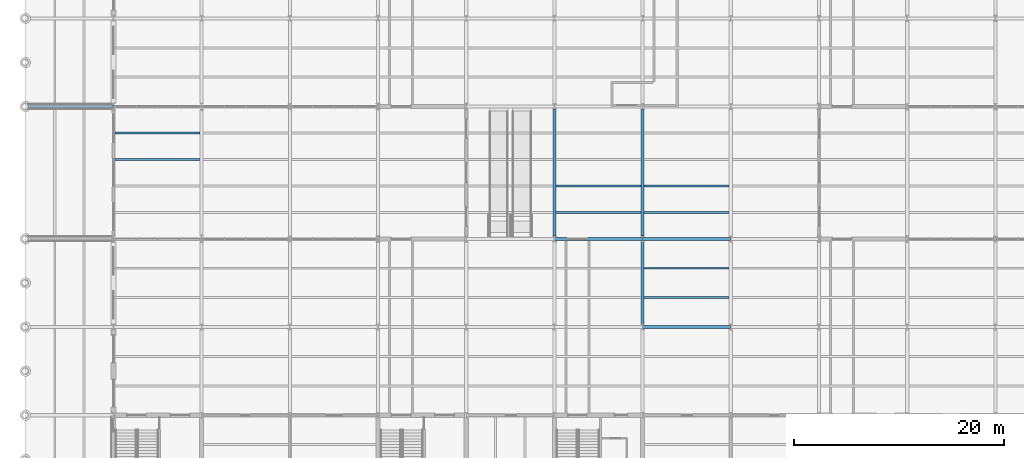
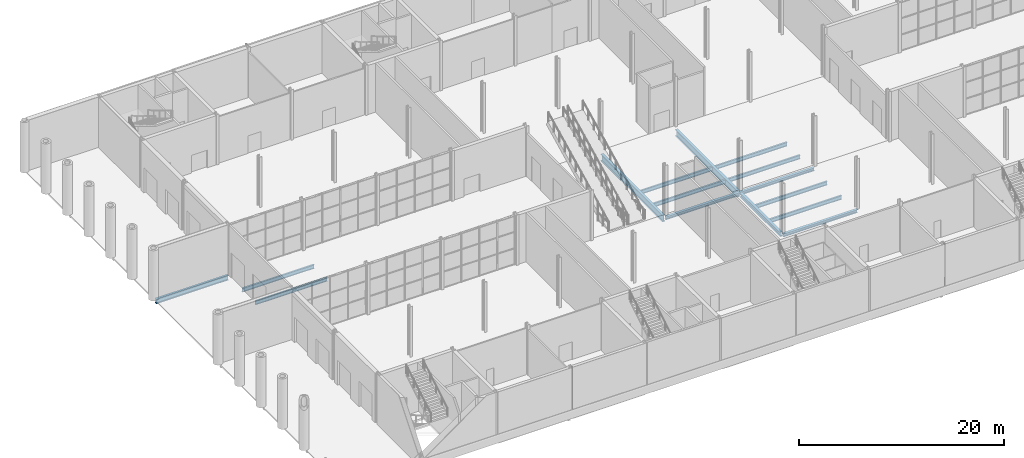
# One storey, part 14 of 55: 15 beams.
"""IFC4 building model written with IfcOpenShell, lengths in metres."""

import ifcopenshell
import ifcopenshell.guid

model = None  # the IFC model being written
_history = None  # IfcOwnerHistory: only IFC2X3 demands one
_inside = {}  # id of a spatial element -> (the spatial element, [elements in it])
_under = {}  # id of a project, library or spatial element -> (it, [spatial elements below it])
_declared = {}  # id of a project -> (the project, [libraries it declares])
_typed = {}  # id of a type object -> (the type object, [elements of that type])
_made_of = {}  # id of a material, layer set ... -> (it, [elements and type objects made of it])


def new_model(schema):
    """Start an empty IFC model of exactly this schema.

    Asked for "IFC4X3", IfcOpenShell would pick the latest addendum, in which some entities
    have other attributes; the version numbers below select the first issue.
    IFC2X3 requires an IfcOwnerHistory on every rooted entity: one is made here for all.
    """
    global model, _history
    if schema == "IFC4X3":
        model = ifcopenshell.file(schema_version=(4, 3, 0, 0))
    else:
        model = ifcopenshell.file(schema=schema)
    _inside.clear()
    _under.clear()
    _declared.clear()
    _typed.clear()
    _made_of.clear()
    _history = None
    if model.schema == "IFC2X3":
        org = make("IfcOrganization", Name="unknown")
        user = make(
            "IfcPersonAndOrganization",
            ThePerson=make("IfcPerson", FamilyName="unknown"),
            TheOrganization=org,
        )
        app = make(
            "IfcApplication",
            ApplicationDeveloper=org,
            Version="unknown",
            ApplicationFullName="unknown",
            ApplicationIdentifier="unknown",
        )
        _history = make(
            "IfcOwnerHistory",
            OwningUser=user,
            OwningApplication=app,
            ChangeAction="ADDED",
            CreationDate=0,
        )
    return model


def make(cls, **values):
    """One entity of the class cls with the attributes given. An attribute that is None is left unset."""
    return model.create_entity(
        cls, **{name: value for name, value in values.items() if value is not None}
    )


def rooted(cls, **values):
    """An entity with a GlobalId (a new one), such as an element, a storey or a relation."""
    return make(cls, GlobalId=ifcopenshell.guid.new(), OwnerHistory=_history, **values)


def si_unit(unit_type, name, prefix=None):
    """IfcSIUnit, for example si_unit("LENGTHUNIT", "METRE", prefix="MILLI")."""
    return make("IfcSIUnit", UnitType=unit_type, Prefix=prefix, Name=name)


def assignment(units):
    """IfcUnitAssignment: the units of a project."""
    return None if units is None else make("IfcUnitAssignment", Units=units)


def point(xyz):
    """IfcCartesianPoint."""
    return None if xyz is None else make("IfcCartesianPoint", Coordinates=xyz)


def direction(xyz):
    """IfcDirection."""
    return None if xyz is None else make("IfcDirection", DirectionRatios=xyz)


def frame(location, z_axis=None, x_axis=None):
    """IfcAxis2Placement3D, a coordinate frame: its origin and axes. An axis left out is left unset."""
    return make(
        "IfcAxis2Placement3D",
        Location=point(location),
        Axis=direction(z_axis),
        RefDirection=direction(x_axis),
    )


def frame_2d(location, x_axis=None):
    """IfcAxis2Placement2D, a coordinate frame in the plane: its origin and x axis."""
    return make(
        "IfcAxis2Placement2D", Location=point(location), RefDirection=direction(x_axis)
    )


def origin():
    """The frame at (0, 0, 0) with its axes left unset."""
    return frame((0.0, 0.0, 0.0))


def origin_2d():
    """The frame at (0, 0) in the plane with its x axis left unset."""
    return frame_2d((0.0, 0.0))


def place(relative_to, where):
    """IfcLocalPlacement: puts the frame where relative to a parent placement (None: the world)."""
    return make(
        "IfcLocalPlacement", PlacementRelTo=relative_to, RelativePlacement=where
    )


def context(
    kind, dimensions, precision=None, world=None, true_north=None, identifier=None
):
    """IfcGeometricRepresentationContext, for example the 3D "Model" context."""
    return make(
        "IfcGeometricRepresentationContext",
        ContextIdentifier=identifier,
        ContextType=kind,
        CoordinateSpaceDimension=dimensions,
        Precision=precision,
        WorldCoordinateSystem=world,
        TrueNorth=true_north,
    )


def subcontext(parent, identifier, kind, view, scale=None):
    """IfcGeometricRepresentationSubContext, for example "Body" below "Model"."""
    return make(
        "IfcGeometricRepresentationSubContext",
        ContextIdentifier=identifier,
        ContextType=kind,
        ParentContext=parent,
        TargetScale=scale,
        TargetView=view,
    )


def project(units=None, contexts=None):
    """IfcProject with its units and contexts."""
    return rooted(
        "IfcProject",
        Name="project",
        RepresentationContexts=contexts,
        UnitsInContext=assignment(units),
    )


def spatial(cls, under=None, at=None, **own):
    """A site, building, storey or space (cls), placed at a placement, below another one or the project."""
    s = rooted(cls, ObjectPlacement=at, **own)
    if under is not None:
        _under.setdefault(under.id(), (under, []))[1].append(s)
    return s


def profile(cls, at=None, kind="AREA", **sizes):
    """A parametric profile (cls). Its sizes go by their IFC names, for example OverallWidth=200.0."""
    return make(cls, ProfileType=kind, Position=at, **sizes)


def i_section(**sizes):
    """IfcIShapeProfileDef."""
    return profile("IfcIShapeProfileDef", **sizes)


def extrude(swept, where, along, depth):
    """IfcExtrudedAreaSolid: the profile swept, set in the frame where, extruded along a direction by depth."""
    return make(
        "IfcExtrudedAreaSolid",
        SweptArea=swept,
        Position=where,
        ExtrudedDirection=direction(along),
        Depth=depth,
    )


def shape(context_of_items, identifier, shape_type, items):
    """IfcShapeRepresentation: the items that make up one representation, for example the "Body"."""
    return make(
        "IfcShapeRepresentation",
        ContextOfItems=context_of_items,
        RepresentationIdentifier=identifier,
        RepresentationType=shape_type,
        Items=items,
    )


def material(Name=None, Category=None):
    """IfcMaterial."""
    return make("IfcMaterial", Name=Name, Category=Category)


def material_profile(
    of_material, cross_section, Name=None, Category=None, Priority=None
):
    """IfcMaterialProfile: a cross section and its material."""
    return make(
        "IfcMaterialProfile",
        Name=Name,
        Material=of_material,
        Profile=cross_section,
        Priority=Priority,
        Category=Category,
    )


def profile_set(profiles, Name=None, composite=None):
    """IfcMaterialProfileSet."""
    return make(
        "IfcMaterialProfileSet",
        Name=Name,
        MaterialProfiles=profiles,
        CompositeProfile=composite,
    )


def made_of(thing, what):
    """Note that an element or type object is made of a material, layer set ...; save() writes the relation."""
    if what is not None:
        _made_of.setdefault(what.id(), (what, []))[1].append(thing)
    return thing


def type_object(cls, material=None, **own):
    """A type object (cls), such as IfcWallType, which elements share."""
    return made_of(rooted(cls, **own), material)


def element(
    cls,
    number,
    at=None,
    inside=None,
    cuts=None,
    type_object=None,
    material=None,
    context=None,
    identifier="Body",
    shape_type=None,
    held_by="IfcProductDefinitionShape",
    body=None,
    shapes=None,
    **own,
):
    """One element of the class cls, such as IfcWall. Its Tag is "e" and its number.

    at: its placement. inside: the storey or other place that contains it. cuts: it is an
    opening in that element (IfcRelVoidsElement). A single representation is given by context,
    identifier, shape_type and body (its items); several are given by shapes. held_by: the class
    of the entity that holds the representations. save() writes the other relations.
    """
    e = rooted(cls, Tag="e%d" % number, ObjectPlacement=at, **own)
    if body is not None:
        shapes = [shape(context, identifier, shape_type, body)]
    if shapes is not None:
        e.Representation = make(held_by, Representations=shapes)
    if inside is not None:
        _inside.setdefault(inside.id(), (inside, []))[1].append(e)
    if cuts is not None:
        rooted(
            "IfcRelVoidsElement", RelatingBuildingElement=cuts, RelatedOpeningElement=e
        )
    if type_object is not None:
        _typed.setdefault(type_object.id(), (type_object, []))[1].append(e)
    return made_of(e, material)


def aggregate(whole, parts):
    """IfcRelAggregates: a whole, such as a stair, and the parts it consists of."""
    return rooted("IfcRelAggregates", RelatingObject=whole, RelatedObjects=parts)


def save(model, path):
    """Write the relations noted so far, then the file.

    IfcRelAggregates (storeys below a building ...), IfcRelContainedInSpatialStructure (elements
    in a storey), IfcRelDefinesByType, IfcRelAssociatesMaterial and IfcRelDeclares: one each for
    every whole, place, type object, material and project.
    """
    for whole, parts in _under.values():
        aggregate(whole, parts)
    for where, things in _inside.values():
        rooted(
            "IfcRelContainedInSpatialStructure",
            RelatedElements=things,
            RelatingStructure=where,
        )
    for kind, things in _typed.values():
        rooted("IfcRelDefinesByType", RelatedObjects=things, RelatingType=kind)
    for what, things in _made_of.values():
        rooted("IfcRelAssociatesMaterial", RelatedObjects=things, RelatingMaterial=what)
    for by, libraries in _declared.values():
        rooted("IfcRelDeclares", RelatingContext=by, RelatedDefinitions=libraries)
    model.write(path)


model = new_model("IFC4")

# Units and contexts
model_context = context("Model", 3, precision=1e-05, world=origin(), true_north=direction((0.0, 1.0)))
body_context = subcontext(model_context, "Body", "Model", "MODEL_VIEW")
ifc_project = project(units=[si_unit("LENGTHUNIT", "METRE"), si_unit("AREAUNIT", "SQUARE_METRE"), si_unit("VOLUMEUNIT", "CUBIC_METRE"), si_unit("PLANEANGLEUNIT", "RADIAN"), si_unit("MASSUNIT", "GRAM", prefix="KILO")], contexts=[model_context])

# Site, building, storey
site_placement = place(None, origin())
site = spatial("IfcSite", under=ifc_project, at=site_placement, CompositionType="ELEMENT")
building_placement = place(site_placement, origin())
building = spatial("IfcBuilding", under=site, at=building_placement, Name="Galleria Vessillo Department Store", CompositionType="ELEMENT")
storey_placement = place(building_placement, origin())
storey = spatial("IfcBuildingStorey", under=building, at=storey_placement, Name="L00", CompositionType="ELEMENT", Elevation=0.0)

# Beams
ifc_material_1 = material(Name="Steel S355 J2", Category="steel")
ifc_material_profile_1 = material_profile(ifc_material_1, i_section(OverallWidth=0.300048828125, OverallDepth=0.489990234375, WebThickness=0.011962890625, FlangeThickness=0.02294921875, FilletRadius=0.027099609375, at=origin_2d()), Name="HEA 500")
ifc_profile_set_1 = profile_set([ifc_material_profile_1], Name="Steel S355 J2")
beam_type_1 = type_object("IfcBeamType", Name="Floor girder HEA 500", PredefinedType="BEAM", material=ifc_profile_set_1)
beam_1_placement = place(storey_placement, frame((58.800048828125, 17.050048828125, -0.39501953125), z_axis=(0.0, 1.0, 0.0), x_axis=(-1.0, 0.0, 0.0)))
element("IfcBeam", 1, at=beam_1_placement, inside=storey, type_object=beam_type_1, Name="S-BM-L00-GI-y58800-17050", PredefinedType="BEAM", context=body_context, shape_type="SweptSolid", body=[
    extrude(i_section(OverallWidth=0.300048828125, OverallDepth=0.489990234375, WebThickness=0.011962890625, FlangeThickness=0.02294921875, FilletRadius=0.027099609375, at=origin_2d()), origin(), (0.0, 0.0, 1.0), 7.887939453125),
])
ifc_material_2 = material(Name="Steel S355 J2", Category="steel")
ifc_material_profile_2 = material_profile(ifc_material_2, i_section(OverallWidth=0.300048828125, OverallDepth=0.5400390625, WebThickness=0.012451171875, FlangeThickness=0.02392578125, FilletRadius=0.027099609375, at=origin_2d()), Name="HEA 550")
ifc_profile_set_2 = profile_set([ifc_material_profile_2], Name="Steel S355 J2")
beam_type_2 = type_object("IfcBeamType", Name="Floor girder HEA 550", PredefinedType="BEAM", material=ifc_profile_set_2)
beam_2_placement = place(storey_placement, frame((0.250244140625, 37.800048828125, -0.419921875), z_axis=(1.0, 0.0, 0.0), x_axis=(0.0, 1.0, 0.0)))
element("IfcBeam", 2, at=beam_2_placement, inside=storey, type_object=beam_type_2, Name="S-BM-L00-GI-x37800-250", PredefinedType="BEAM", context=body_context, shape_type="SweptSolid", body=[
    extrude(i_section(OverallWidth=0.300048828125, OverallDepth=0.5400390625, WebThickness=0.012451171875, FlangeThickness=0.02392578125, FilletRadius=0.027099609375, at=origin_2d()), origin(), (0.0, 0.0, 1.0), 8.13916015625),
])
ifc_material_3 = material(Name="Steel S355 J2", Category="steel")
ifc_material_profile_3 = material_profile(ifc_material_3, i_section(OverallWidth=0.300048828125, OverallDepth=0.7900390625, WebThickness=0.014892578125, FlangeThickness=0.028076171875, FilletRadius=0.030029296875, at=origin_2d()), Name="HEA 800")
ifc_profile_set_3 = profile_set([ifc_material_profile_3], Name="Steel S355 J2")
beam_type_3 = type_object("IfcBeamType", Name="Floor girder HEA 800", PredefinedType="BEAM", material=ifc_profile_set_3)
for number, where, z_axis, x_axis, name in (
    (3, (50.39990234375, 25.462158203125, -0.64501953125), (0.0, 1.0, 0.0), (-1.0, 0.0, 0.0), "S-BM-L00-GI-y50400-25462"),
    (4, (58.800048828125, 25.462158203125, -0.64501953125), (0.0, 1.0, 0.0), (-1.0, 0.0, 0.0), "S-BM-L00-GI-y58800-25462"),
):
    element("IfcBeam", number, at=place(storey_placement, frame(where, z_axis=z_axis, x_axis=x_axis)), inside=storey, type_object=beam_type_3, Name=name, PredefinedType="BEAM", context=body_context, shape_type="SweptSolid", body=[
        extrude(i_section(OverallWidth=0.300048828125, OverallDepth=0.7900390625, WebThickness=0.014892578125, FlangeThickness=0.028076171875, FilletRadius=0.030029296875, at=origin_2d()), origin(), (0.0, 0.0, 1.0), 12.07568359375),
    ])
ifc_material_4 = material(Name="Steel S355 J2", Category="steel")
ifc_material_profile_4 = material_profile(ifc_material_4, i_section(OverallWidth=0.18994140625, OverallDepth=0.449951171875, WebThickness=0.009521484375, FlangeThickness=0.0146484375, FilletRadius=0.02099609375, at=origin_2d()), Name="IPE 450")
ifc_profile_set_4 = profile_set([ifc_material_profile_4], Name="Steel S355 J2")
beam_type_4 = type_object("IfcBeamType", Name="Floor joist IPE 450", PredefinedType="JOIST", material=ifc_profile_set_4)
for number, where, z_axis, x_axis, name in (
    (5, (8.550048828125, 32.760009765625, -0.47509765625), (1.0, 0.0, 0.0), (0.0, 1.0, 0.0), "S-BM-L00-JO-x32760-8550"),
    (6, (8.550048828125, 35.280029296875, -0.47509765625), (1.0, 0.0, 0.0), (0.0, 1.0, 0.0), "S-BM-L00-JO-x35280-8550"),
    (7, (50.550048828125, 27.719970703125, -0.47509765625), (1.0, 0.0, 0.0), (0.0, 1.0, 0.0), "S-BM-L00-JO-x27720-50550"),
    (8, (50.550048828125, 30.239990234375, -0.47509765625), (1.0, 0.0, 0.0), (0.0, 1.0, 0.0), "S-BM-L00-JO-x30240-50550"),
):
    element("IfcBeam", number, at=place(storey_placement, frame(where, z_axis=z_axis, x_axis=x_axis)), inside=storey, type_object=beam_type_4, Name=name, PredefinedType="JOIST", context=body_context, shape_type="SweptSolid", body=[
        extrude(i_section(OverallWidth=0.18994140625, OverallDepth=0.449951171875, WebThickness=0.009521484375, FlangeThickness=0.0146484375, FilletRadius=0.02099609375, at=origin_2d()), origin(), (0.0, 0.0, 1.0), 8.099853515625),
    ])
for number, where, z_axis, x_axis, name in (
    (9, (58.9501953125, 19.60009765625, -0.375), (1.0, 0.0, 0.0), (0.0, 1.0, 0.0), "S-BM-L00-JO-x19600-58950"),
    (10, (58.9501953125, 22.39990234375, -0.375), (1.0, 0.0, 0.0), (0.0, 1.0, 0.0), "S-BM-L00-JO-x22400-58950"),
    (11, (58.9501953125, 27.719970703125, -0.47509765625), (1.0, 0.0, 0.0), (0.0, 1.0, 0.0), "S-BM-L00-JO-x27720-58950"),
    (12, (58.9501953125, 30.239990234375, -0.47509765625), (1.0, 0.0, 0.0), (0.0, 1.0, 0.0), "S-BM-L00-JO-x30240-58950"),
):
    element("IfcBeam", number, at=place(storey_placement, frame(where, z_axis=z_axis, x_axis=x_axis)), inside=storey, type_object=beam_type_4, Name=name, PredefinedType="JOIST", context=body_context, shape_type="SweptSolid", body=[
        extrude(i_section(OverallWidth=0.18994140625, OverallDepth=0.449951171875, WebThickness=0.009521484375, FlangeThickness=0.0146484375, FilletRadius=0.02099609375, at=origin_2d()), origin(), (0.0, 0.0, 1.0), 8.099609375),
    ])
ifc_material_5 = material(Name="Steel S355 J2", Category="steel")
ifc_material_profile_5 = material_profile(ifc_material_5, i_section(OverallWidth=0.300048828125, OverallDepth=0.35009765625, WebThickness=0.010009765625, FlangeThickness=0.017578125, FilletRadius=0.027099609375, at=origin_2d()), Name="HEA 360")
ifc_profile_set_5 = profile_set([ifc_material_profile_5], Name="Steel S355 J2")
beam_type_5 = type_object("IfcBeamType", Name="Floor tie girder HEA 360", PredefinedType="BEAM", material=ifc_profile_set_5)
beam_3_placement = place(storey_placement, frame((58.807373046875, 16.800048828125, -0.324951171875), z_axis=(1.0, 0.0, 0.0), x_axis=(0.0, 1.0, 0.0)))
element("IfcBeam", 13, at=beam_3_placement, inside=storey, type_object=beam_type_5, Name="S-BM-L00-TI-x16800-58807", PredefinedType="BEAM", context=body_context, shape_type="SweptSolid", body=[
    extrude(i_section(OverallWidth=0.300048828125, OverallDepth=0.35009765625, WebThickness=0.010009765625, FlangeThickness=0.017578125, FilletRadius=0.027099609375, at=origin_2d()), origin(), (0.0, 0.0, 1.0), 8.38525390625),
])
beam_4_placement = place(storey_placement, frame((50.41064453125, 25.199951171875, -0.425048828125), z_axis=(1.0, 0.0, 0.0), x_axis=(0.0, 1.0, 0.0)))
element("IfcBeam", 14, at=beam_4_placement, inside=storey, type_object=beam_type_5, Name="S-BM-L00-TI-x25200-50411", PredefinedType="BEAM", context=body_context, shape_type="SweptSolid", body=[
    extrude(i_section(OverallWidth=0.300048828125, OverallDepth=0.35009765625, WebThickness=0.010009765625, FlangeThickness=0.017578125, FilletRadius=0.027099609375, at=origin_2d()), origin(), (0.0, 0.0, 1.0), 8.378662109375),
])
beam_5_placement = place(storey_placement, frame((58.810546875, 25.199951171875, -0.425048828125), z_axis=(1.0, 0.0, 0.0), x_axis=(0.0, 1.0, 0.0)))
element("IfcBeam", 15, at=beam_5_placement, inside=storey, type_object=beam_type_5, Name="S-BM-L00-TI-x25200-58811", PredefinedType="BEAM", context=body_context, shape_type="SweptSolid", body=[
    extrude(i_section(OverallWidth=0.300048828125, OverallDepth=0.35009765625, WebThickness=0.010009765625, FlangeThickness=0.017578125, FilletRadius=0.027099609375, at=origin_2d()), origin(), (0.0, 0.0, 1.0), 8.37890625),
])

save(model, "model.ifc")
